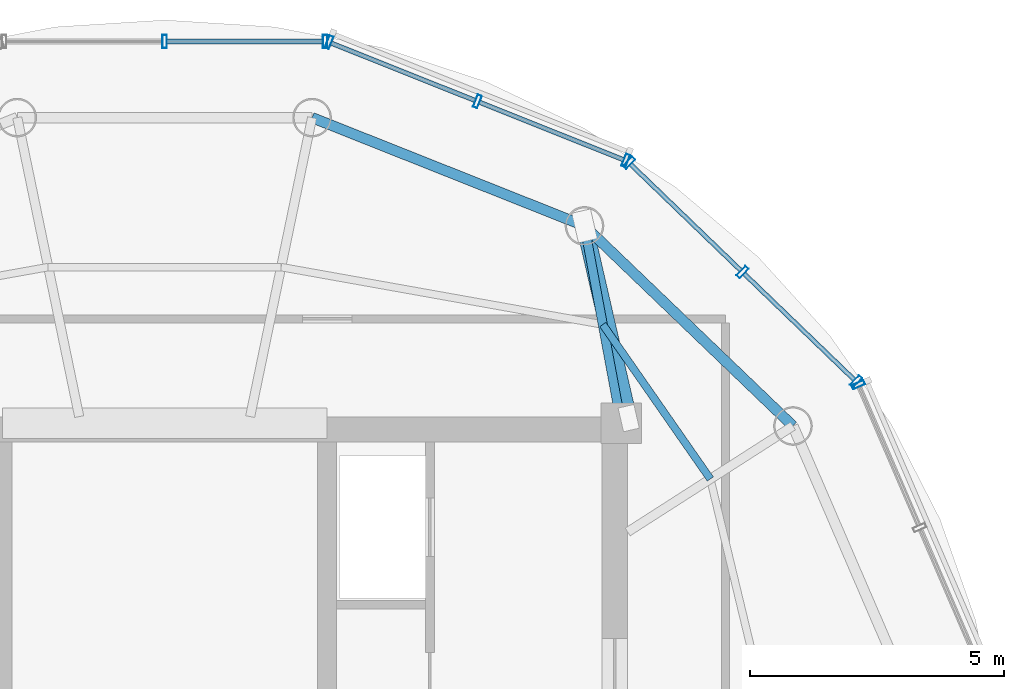
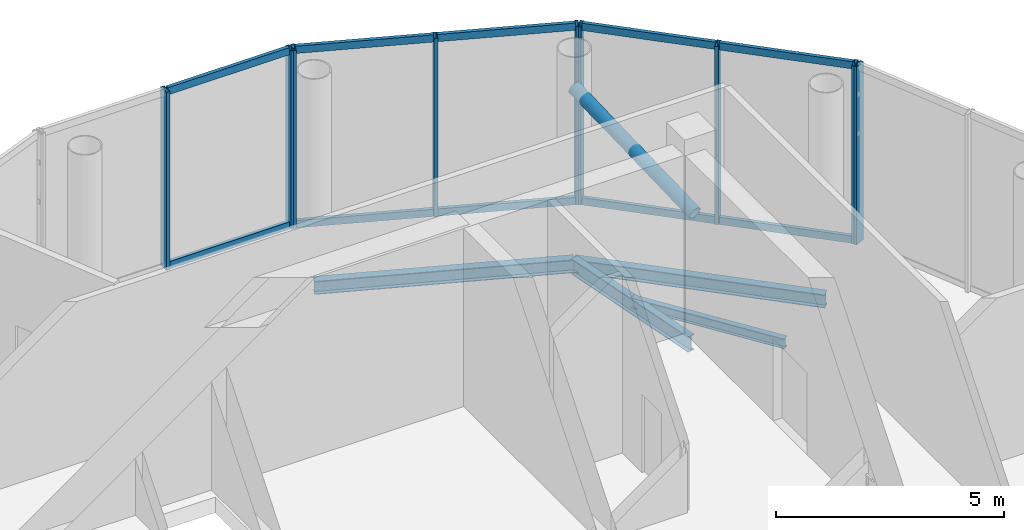
# One storey, part 8 of 14: 20 members, 4 beams, 4 elements without a shape of their own.
"""IFC4 building model written with IfcOpenShell, lengths in metres."""

from ifc_helpers import new_model, si_unit, direction, frame, origin, origin_2d, place, context, subcontext, project, spatial, hollow_rectangle, hollow_circle, i_section, extrude, source, transform, mapped, material, material_profile, profile_set, type_object, element, aggregate, save


model = new_model("IFC4")

# Units and contexts
model_context = context("Model", 3, precision=1e-05, world=origin(), true_north=direction((-0.2419218956, 0.970295726276)))
body_context = subcontext(model_context, "Body", "Model", "MODEL_VIEW")
ifc_project = project(units=[si_unit("LENGTHUNIT", "METRE"), si_unit("AREAUNIT", "SQUARE_METRE"), si_unit("VOLUMEUNIT", "CUBIC_METRE"), si_unit("PLANEANGLEUNIT", "RADIAN"), si_unit("MASSUNIT", "GRAM", prefix="KILO")], contexts=[model_context])

# Site, building, storey
site_placement = place(None, origin())
site = spatial("IfcSite", under=ifc_project, at=site_placement, CompositionType="ELEMENT")
building_placement = place(site_placement, origin())
building = spatial("IfcBuilding", under=site, at=building_placement, Name="Cobrevalo Terracotta Tower", CompositionType="ELEMENT")
storey_placement = place(building_placement, frame((0.0, 0.0, 326.89990234375)))
storey = spatial("IfcBuildingStorey", under=building, at=storey_placement, Name="L84", CompositionType="ELEMENT", Elevation=326.89990234375)

# Beams
ifc_material_1 = material(Name="Steel S355", Category="steel")
ifc_material_profile_1 = material_profile(ifc_material_1, i_section(OverallWidth=0.179931640625, OverallDepth=0.4130859375, WebThickness=0.009765625, FlangeThickness=0.01611328125, at=origin_2d()), Name="W 410x75")
ifc_profile_set_1 = profile_set([ifc_material_profile_1], Name="Steel S355")
beam_type_1 = type_object("IfcBeamType", Name="Structural Beam W 410x75 (Steel S355)", PredefinedType="BEAM", material=ifc_profile_set_1)
beam_1_placement = place(storey_placement, frame((46.278076171875, 38.68994140625, -0.62646484375), z_axis=(0.18247374128, -0.983210727028, 0.0), x_axis=(0.983210727028, 0.18247374128, 0.0)))
element("IfcBeam", 1, at=beam_1_placement, inside=storey, type_object=beam_type_1, Name="L84 radial floor girder 03", PredefinedType="BEAM", context=body_context, shape_type="SweptSolid", body=[
    extrude(i_section(OverallWidth=0.179931640625, OverallDepth=0.4130859375, WebThickness=0.009765625, FlangeThickness=0.01611328125, at=origin_2d()), origin(), (0.0, 0.0, 1.0), 3.956298828125),
])
ifc_material_profile_2 = material_profile(ifc_material_1, i_section(OverallWidth=0.14794921875, OverallDepth=0.26611328125, WebThickness=0.007568359375, FlangeThickness=0.012939453125, at=origin_2d()), Name="W 250x44.8")
ifc_profile_set_2 = profile_set([ifc_material_profile_2], Name="Steel S355")
beam_type_2 = type_object("IfcBeamType", Name="Structural Joist W 250x44.8 (Steel S355)", PredefinedType="JOIST", material=ifc_profile_set_2)
beam_2_placement = place(storey_placement, frame((48.759521484375, 33.69970703125, -0.552978515625), z_axis=(-0.571438375461, 0.82064497991, 0.0), x_axis=(-0.82064497991, -0.571438375461, 0.0)))
element("IfcBeam", 2, at=beam_2_placement, inside=storey, type_object=beam_type_2, Name="L84 circumferential secondary floor joist 02", PredefinedType="JOIST", context=body_context, shape_type="SweptSolid", body=[
    extrude(i_section(OverallWidth=0.14794921875, OverallDepth=0.26611328125, WebThickness=0.007568359375, FlangeThickness=0.012939453125, at=origin_2d()), origin(), (0.0, 0.0, 1.0), 3.7109375),
])
ifc_material_profile_3 = material_profile(ifc_material_1, i_section(OverallWidth=0.205078125, OverallDepth=0.35400390625, WebThickness=0.009521484375, FlangeThickness=0.016845703125, at=origin_2d()), Name="W 360x79")
ifc_profile_set_3 = profile_set([ifc_material_profile_3], Name="Steel S355")
beam_type_3 = type_object("IfcBeamType", Name="Structural Spandrel W 360x79 (Steel S355)", PredefinedType="SPANDREL", material=ifc_profile_set_3)
beam_3_placement = place(storey_placement, frame((50.388916015625, 34.74462890625, -0.596923828125), z_axis=(-0.72148321486, 0.69243192494, 0.0), x_axis=(-0.69243192494, -0.72148321486, 0.0)))
element("IfcBeam", 3, at=beam_3_placement, inside=storey, type_object=beam_type_3, Name="L84 perimeter ring spandrel 02", PredefinedType="SPANDREL", context=body_context, shape_type="SweptSolid", body=[
    extrude(i_section(OverallWidth=0.205078125, OverallDepth=0.35400390625, WebThickness=0.009521484375, FlangeThickness=0.016845703125, at=origin_2d()), origin(), (0.0, 0.0, 1.0), 5.69775390625),
])
beam_4_placement = place(storey_placement, frame((46.278076171875, 38.68994140625, -0.596923828125), z_axis=(-0.929266894942, 0.369409038824, 0.0), x_axis=(-0.369409038824, -0.929266894942, 0.0)))
element("IfcBeam", 4, at=beam_4_placement, inside=storey, type_object=beam_type_3, Name="L84 perimeter ring spandrel 03", PredefinedType="SPANDREL", context=body_context, shape_type="SweptSolid", body=[
    extrude(i_section(OverallWidth=0.205078125, OverallDepth=0.35400390625, WebThickness=0.009521484375, FlangeThickness=0.016845703125, at=origin_2d()), origin(), (0.0, 0.0, 1.0), 5.7802734375),
])

# Member
ifc_material_profile_4 = material_profile(ifc_material_1, hollow_circle(Radius=0.162109375, WallThickness=0.013916015625, at=origin_2d()), Name="CHS 324x14")
ifc_profile_set_4 = profile_set([ifc_material_profile_4], Name="Steel S355")
member_type_1 = type_object("IfcMemberType", Name="Steel Brace CHS 324x14 (Steel S355)", PredefinedType="BRACE", material=ifc_profile_set_4)
shared_shape_1 = source(origin(), body_context, "Body", "SweptSolid", [
    extrude(hollow_circle(Radius=0.162109375, WallThickness=0.013916015625, at=origin_2d()), origin(), (0.0, 0.0, 1.0), 4.126708984375),
])
member_1_placement = place(storey_placement, frame((47.14990234375, 34.89990234375, 2.75), z_axis=(-0.211267372013, 0.918430322917, 0.334442580227), x_axis=(-0.974548603832, -0.224176311794, 0.0)))
element("IfcMember", 5, at=member_1_placement, inside=storey, type_object=member_type_1, Name="L84 CROWN FRAME radial brace 01", PredefinedType="BRACE", context=body_context, shape_type="MappedRepresentation", body=[
    mapped(shared_shape_1, transform((0.0, 0.0, 0.0), scale=1.0)),
])

# Curtain wall, member
ifc_material_2 = material(Name="Anodized aluminium", Category="aluminium")
curtain_wall_type = type_object("IfcCurtainWallType", Name="Faceted glass-point crown structural glazing system CW-CR", PredefinedType="NOTDEFINED", material=ifc_material_2)
curtain_wall_1_placement = place(storey_placement, origin())
curtain_wall_1 = element("IfcCurtainWall", 6, at=curtain_wall_1_placement, inside=storey, type_object=curtain_wall_type, Name="L84 curtain wall CW-CRN-L84-S01", PredefinedType="NOTDEFINED")
ifc_material_profile_5 = material_profile(ifc_material_2, hollow_rectangle(XDim=0.090087890625, YDim=0.260009765625, WallThickness=0.006103515625, at=origin_2d()), Name="CWM 90x260")
ifc_profile_set_5 = profile_set([ifc_material_profile_5], Name="Anodized aluminium")
member_type_2 = type_object("IfcMemberType", Name="Crown structural glass mullion 90x260", PredefinedType="MULLION", material=ifc_profile_set_5)
shared_shape_2 = source(origin(), body_context, "Body", "SweptSolid", [
    extrude(hollow_rectangle(XDim=0.090087890625, YDim=0.260009765625, WallThickness=0.006103515625, at=origin_2d()), origin(), (0.0, 0.0, 1.0), 4.780029296875),
])
member_2_placement = place(storey_placement, frame((51.6767578125, 35.557861328125, 0.0), z_axis=(0.0, 0.0, 1.0), x_axis=(-0.394968347643, 0.918694728602, 0.0)))
member_2 = element("IfcMember", 7, at=member_2_placement, type_object=member_type_2, Name="CW-CRN-L84-S01 vertical mullion 03", PredefinedType="MULLION", context=body_context, shape_type="MappedRepresentation", body=[
    mapped(shared_shape_2, transform((0.0, 0.0, 0.0), scale=1.0)),
])
aggregate(curtain_wall_1, [member_2])

# Curtain wall, members
curtain_wall_2_placement = place(storey_placement, origin())
curtain_wall_2 = element("IfcCurtainWall", 8, at=curtain_wall_2_placement, inside=storey, type_object=curtain_wall_type, Name="L84 curtain wall CW-CRN-L84-S02", PredefinedType="NOTDEFINED")
member_3_placement = place(storey_placement, frame((51.63232421875, 35.622314453125, 0.0), z_axis=(0.0, 0.0, 1.0), x_axis=(-0.72013951191, 0.693829289801, 0.0)))
member_3 = element("IfcMember", 9, at=member_3_placement, type_object=member_type_2, Name="CW-CRN-L84-S02 vertical mullion 01", PredefinedType="MULLION", context=body_context, shape_type="MappedRepresentation", body=[
    mapped(shared_shape_2, transform((0.0, 0.0, 0.0), scale=1.0)),
])
member_4_placement = place(storey_placement, frame((49.39453125, 37.7783203125, 0.0), z_axis=(0.0, 0.0, 1.0), x_axis=(-0.72013951191, 0.693829289801, 0.0)))
member_4 = element("IfcMember", 10, at=member_4_placement, type_object=member_type_2, Name="CW-CRN-L84-S02 vertical mullion 02", PredefinedType="MULLION", context=body_context, shape_type="MappedRepresentation", body=[
    mapped(shared_shape_2, transform((0.0, 0.0, 0.0), scale=1.0)),
])
member_5_placement = place(storey_placement, frame((47.15673828125, 39.934326171875, 0.0), z_axis=(0.0, 0.0, 1.0), x_axis=(-0.72013951191, 0.693829289801, 0.0)))
member_5 = element("IfcMember", 11, at=member_5_placement, type_object=member_type_2, Name="CW-CRN-L84-S02 vertical mullion 03", PredefinedType="MULLION", context=body_context, shape_type="MappedRepresentation", body=[
    mapped(shared_shape_2, transform((0.0, 0.0, 0.0), scale=1.0)),
])

curtain_wall_3_placement = place(storey_placement, origin())
curtain_wall_3 = element("IfcCurtainWall", 12, at=curtain_wall_3_placement, inside=storey, type_object=curtain_wall_type, Name="L84 curtain wall CW-CRN-L84-S03", PredefinedType="NOTDEFINED")
member_6_placement = place(storey_placement, frame((47.0908203125, 39.97705078125, 0.0), z_axis=(0.0, 0.0, 1.0), x_axis=(-0.928770743095, 0.370654700187, 0.0)))
member_6 = element("IfcMember", 13, at=member_6_placement, type_object=member_type_2, Name="CW-CRN-L84-S03 vertical mullion 01", PredefinedType="MULLION", context=body_context, shape_type="MappedRepresentation", body=[
    mapped(shared_shape_2, transform((0.0, 0.0, 0.0), scale=1.0)),
])
member_7_placement = place(storey_placement, frame((44.166748046875, 41.14404296875, 0.0), z_axis=(0.0, 0.0, 1.0), x_axis=(-0.928770743095, 0.370654700187, 0.0)))
member_7 = element("IfcMember", 14, at=member_7_placement, type_object=member_type_2, Name="CW-CRN-L84-S03 vertical mullion 02", PredefinedType="MULLION", context=body_context, shape_type="MappedRepresentation", body=[
    mapped(shared_shape_2, transform((0.0, 0.0, 0.0), scale=1.0)),
])
member_8_placement = place(storey_placement, frame((41.242431640625, 42.31103515625, 0.0), z_axis=(0.0, 0.0, 1.0), x_axis=(-0.928770743095, 0.370654700187, 0.0)))
member_8 = element("IfcMember", 15, at=member_8_placement, type_object=member_type_2, Name="CW-CRN-L84-S03 vertical mullion 03", PredefinedType="MULLION", context=body_context, shape_type="MappedRepresentation", body=[
    mapped(shared_shape_2, transform((0.0, 0.0, 0.0), scale=1.0)),
])

curtain_wall_4_placement = place(storey_placement, origin())
curtain_wall_4 = element("IfcCurtainWall", 16, at=curtain_wall_4_placement, inside=storey, type_object=curtain_wall_type, Name="L84 curtain wall CW-CRN-L84-S04", PredefinedType="NOTDEFINED")
member_9_placement = place(storey_placement, frame((41.165283203125, 42.325927734375, 0.0), z_axis=(0.0, 0.0, 1.0), x_axis=(-1.0, 0.0, 0.0)))
member_9 = element("IfcMember", 17, at=member_9_placement, type_object=member_type_2, Name="CW-CRN-L84-S04 vertical mullion 01", PredefinedType="MULLION", context=body_context, shape_type="MappedRepresentation", body=[
    mapped(shared_shape_2, transform((0.0, 0.0, 0.0), scale=1.0)),
])
member_10_placement = place(storey_placement, frame((38.0, 42.325927734375, 0.0), z_axis=(0.0, 0.0, 1.0), x_axis=(-1.0, 0.0, 0.0)))
member_10 = element("IfcMember", 18, at=member_10_placement, type_object=member_type_2, Name="CW-CRN-L84-S04 vertical mullion 02", PredefinedType="MULLION", context=body_context, shape_type="MappedRepresentation", body=[
    mapped(shared_shape_2, transform((0.0, 0.0, 0.0), scale=1.0)),
])

# Member
ifc_material_profile_6 = material_profile(ifc_material_2, hollow_rectangle(XDim=0.090087890625, YDim=0.195068359375, WallThickness=0.005615234375, at=origin_2d()), Name="CWT 90x195")
ifc_profile_set_6 = profile_set([ifc_material_profile_6], Name="Anodized aluminium")
member_type_3 = type_object("IfcMemberType", Name="Crown structural aluminium transom 90x195", PredefinedType="USERDEFINED", material=ifc_profile_set_6)
shared_shape_3 = source(origin(), body_context, "Body", "SweptSolid", [
    extrude(hollow_rectangle(XDim=0.090087890625, YDim=0.195068359375, WallThickness=0.005615234375, at=origin_2d()), origin(), (0.0, 0.0, 1.0), 3.027587890625),
])
member_11_placement = place(storey_placement, frame((51.603515625, 35.650146484375, 0.050048828125), z_axis=(-0.720129171854, 0.693840021795, 0.0), x_axis=(-0.693840021795, -0.720129171854, 0.0)))
member_11 = element("IfcMember", 19, at=member_11_placement, type_object=member_type_3, Name="CW-CRN-L84-S02 transom B01-T1", ObjectType="TRANSOM", PredefinedType="USERDEFINED", context=body_context, shape_type="MappedRepresentation", body=[
    mapped(shared_shape_3, transform((0.0, 0.0, 0.0), scale=1.0)),
])

member_12_placement = place(storey_placement, frame((51.603515625, 35.650146484375, 4.72998046875), z_axis=(-0.720129171854, 0.693840021795, 0.0), x_axis=(-0.693840021795, -0.720129171854, 0.0)))
member_12 = element("IfcMember", 20, at=member_12_placement, type_object=member_type_3, Name="CW-CRN-L84-S02 transom B01-T2", ObjectType="TRANSOM", PredefinedType="USERDEFINED", context=body_context, shape_type="MappedRepresentation", body=[
    mapped(shared_shape_3, transform((0.0, 0.0, 0.0), scale=1.0)),
])

member_13_placement = place(storey_placement, frame((49.36572265625, 37.80615234375, 0.050048828125), z_axis=(-0.720129171854, 0.693840021795, 0.0), x_axis=(-0.693840021795, -0.720129171854, 0.0)))
member_13 = element("IfcMember", 21, at=member_13_placement, type_object=member_type_3, Name="CW-CRN-L84-S02 transom B02-T1", ObjectType="TRANSOM", PredefinedType="USERDEFINED", context=body_context, shape_type="MappedRepresentation", body=[
    mapped(shared_shape_3, transform((0.0, 0.0, 0.0), scale=1.0)),
])

member_14_placement = place(storey_placement, frame((49.36572265625, 37.80615234375, 4.72998046875), z_axis=(-0.720129171854, 0.693840021795, 0.0), x_axis=(-0.693840021795, -0.720129171854, 0.0)))
member_14 = element("IfcMember", 22, at=member_14_placement, type_object=member_type_3, Name="CW-CRN-L84-S02 transom B02-T2", ObjectType="TRANSOM", PredefinedType="USERDEFINED", context=body_context, shape_type="MappedRepresentation", body=[
    mapped(shared_shape_3, transform((0.0, 0.0, 0.0), scale=1.0)),
])

aggregate(curtain_wall_2, [member_3, member_4, member_5, member_11, member_12, member_13, member_14])

shared_shape_4 = source(origin(), body_context, "Body", "SweptSolid", [
    extrude(hollow_rectangle(XDim=0.090087890625, YDim=0.195068359375, WallThickness=0.005615234375, at=origin_2d()), origin(), (0.0, 0.0, 1.0), 3.068359375),
])
member_15_placement = place(storey_placement, frame((47.0537109375, 39.99169921875, 0.050048828125), z_axis=(-0.928756274811, 0.370690952141, 0.0), x_axis=(-0.370690952141, -0.928756274811, 0.0)))
member_15 = element("IfcMember", 23, at=member_15_placement, type_object=member_type_3, Name="CW-CRN-L84-S03 transom B01-T1", ObjectType="TRANSOM", PredefinedType="USERDEFINED", context=body_context, shape_type="MappedRepresentation", body=[
    mapped(shared_shape_4, transform((0.0, 0.0, 0.0), scale=1.0)),
])

member_16_placement = place(storey_placement, frame((47.0537109375, 39.99169921875, 4.72998046875), z_axis=(-0.928756274811, 0.370690952141, 0.0), x_axis=(-0.370690952141, -0.928756274811, 0.0)))
member_16 = element("IfcMember", 24, at=member_16_placement, type_object=member_type_3, Name="CW-CRN-L84-S03 transom B01-T2", ObjectType="TRANSOM", PredefinedType="USERDEFINED", context=body_context, shape_type="MappedRepresentation", body=[
    mapped(shared_shape_4, transform((0.0, 0.0, 0.0), scale=1.0)),
])

shared_shape_5 = source(origin(), body_context, "Body", "SweptSolid", [
    extrude(hollow_rectangle(XDim=0.090087890625, YDim=0.195068359375, WallThickness=0.005615234375, at=origin_2d()), origin(), (0.0, 0.0, 1.0), 3.068603515625),
])
member_17_placement = place(storey_placement, frame((44.129638671875, 41.158935546875, 0.050048828125), z_axis=(-0.928794593829, 0.370594930448, 0.0), x_axis=(-0.370594930448, -0.928794593829, 0.0)))
member_17 = element("IfcMember", 25, at=member_17_placement, type_object=member_type_3, Name="CW-CRN-L84-S03 transom B02-T1", ObjectType="TRANSOM", PredefinedType="USERDEFINED", context=body_context, shape_type="MappedRepresentation", body=[
    mapped(shared_shape_5, transform((0.0, 0.0, 0.0), scale=1.0)),
])

member_18_placement = place(storey_placement, frame((44.129638671875, 41.158935546875, 4.72998046875), z_axis=(-0.928794593829, 0.370594930448, 0.0), x_axis=(-0.370594930448, -0.928794593829, 0.0)))
member_18 = element("IfcMember", 26, at=member_18_placement, type_object=member_type_3, Name="CW-CRN-L84-S03 transom B02-T2", ObjectType="TRANSOM", PredefinedType="USERDEFINED", context=body_context, shape_type="MappedRepresentation", body=[
    mapped(shared_shape_5, transform((0.0, 0.0, 0.0), scale=1.0)),
])

aggregate(curtain_wall_3, [member_6, member_7, member_8, member_15, member_16, member_17, member_18])

shared_shape_6 = source(origin(), body_context, "Body", "SweptSolid", [
    extrude(hollow_rectangle(XDim=0.090087890625, YDim=0.195068359375, WallThickness=0.005615234375, at=origin_2d()), origin(), (0.0, 0.0, 1.0), 3.085205078125),
])
member_19_placement = place(storey_placement, frame((41.125244140625, 42.325927734375, 0.050048828125), z_axis=(-1.0, 0.0, 0.0), x_axis=(0.0, -1.0, 0.0)))
member_19 = element("IfcMember", 27, at=member_19_placement, type_object=member_type_3, Name="CW-CRN-L84-S04 transom B01-T1", ObjectType="TRANSOM", PredefinedType="USERDEFINED", context=body_context, shape_type="MappedRepresentation", body=[
    mapped(shared_shape_6, transform((0.0, 0.0, 0.0), scale=1.0)),
])

member_20_placement = place(storey_placement, frame((41.125244140625, 42.325927734375, 4.72998046875), z_axis=(-1.0, 0.0, 0.0), x_axis=(0.0, -1.0, 0.0)))
member_20 = element("IfcMember", 28, at=member_20_placement, type_object=member_type_3, Name="CW-CRN-L84-S04 transom B01-T2", ObjectType="TRANSOM", PredefinedType="USERDEFINED", context=body_context, shape_type="MappedRepresentation", body=[
    mapped(shared_shape_6, transform((0.0, 0.0, 0.0), scale=1.0)),
])

aggregate(curtain_wall_4, [member_9, member_10, member_19, member_20])

save(model, "model.ifc")
